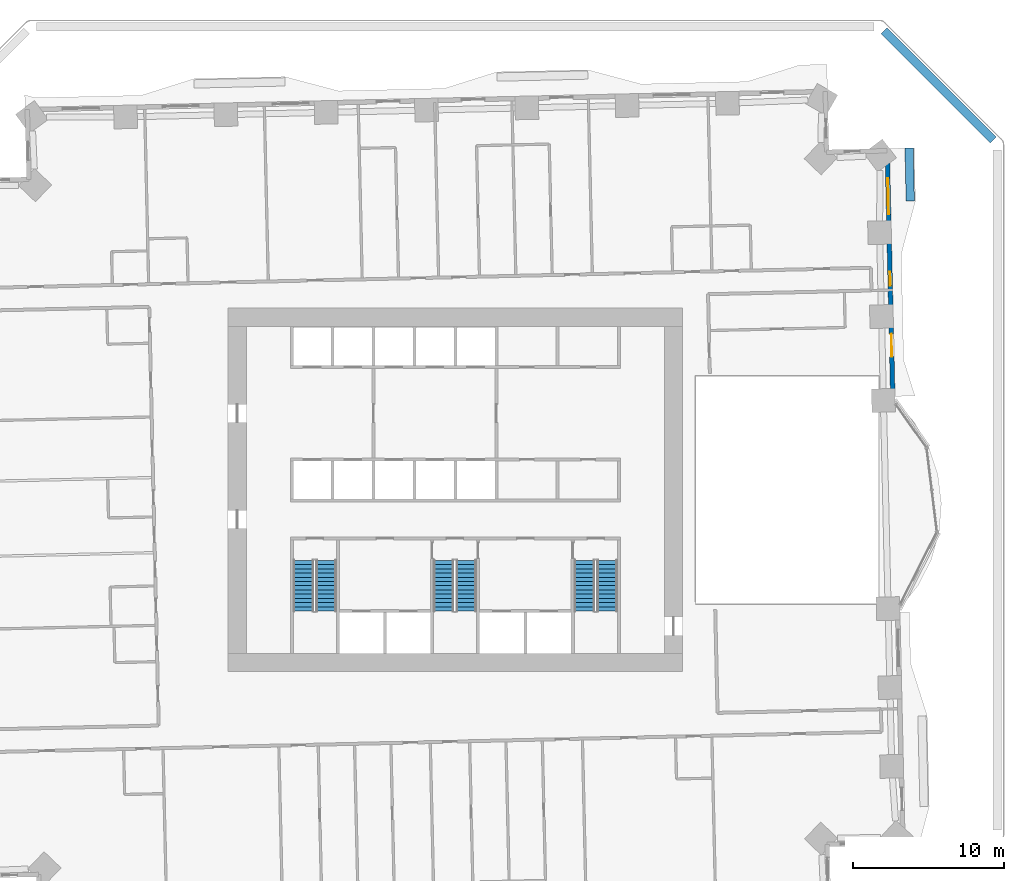
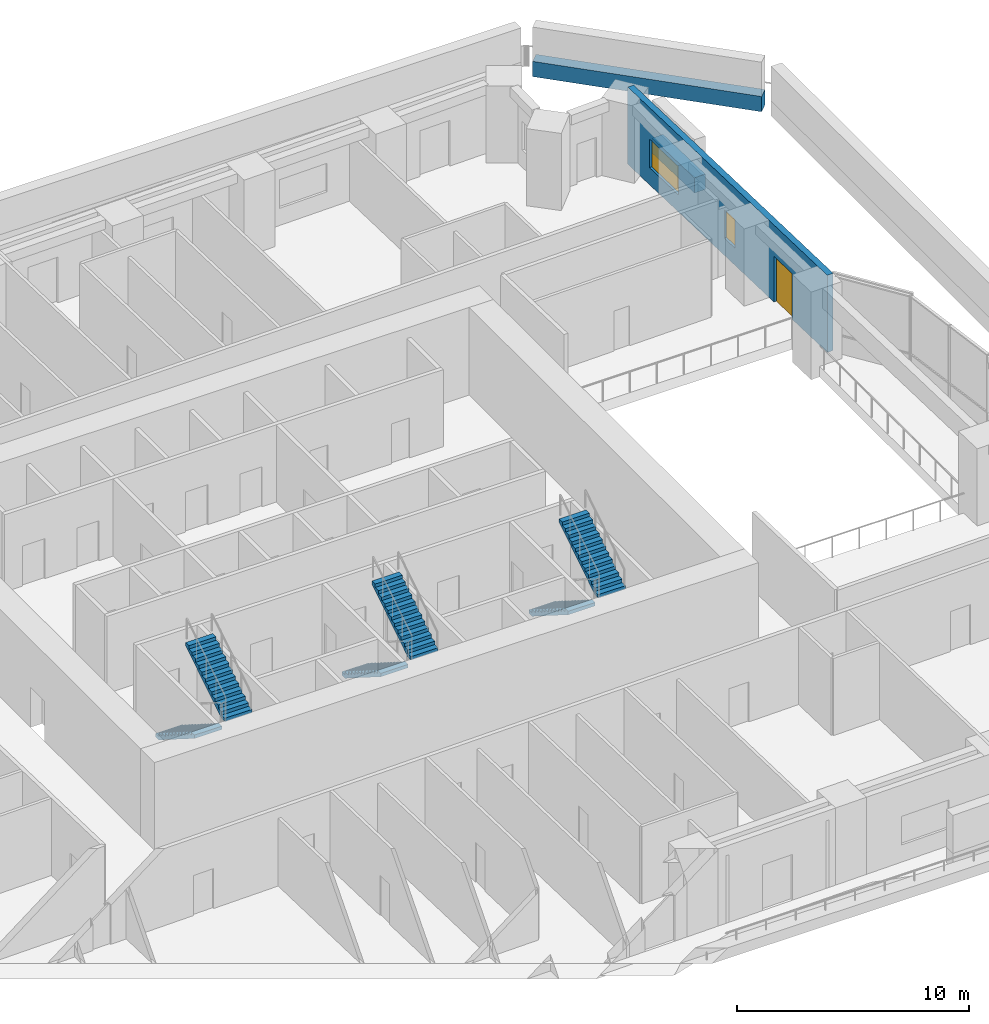
# One storey, part 17 of 21: 6 stair flights, 3 walls, 2 windows, 1 door, 3 openings, 3 elements without a shape of their own.
"""IFC4 building model written with IfcOpenShell, lengths in metres."""

from ifc_helpers import new_model, si_unit, direction, frame, frame_2d, origin, place, context, subcontext, project, spatial, polyline, rectangle, outline, extrude, material, layer, layer_set, type_object, element, fill, aggregate, save


model = new_model("IFC4")

# Units and contexts
model_context = context("Model", 3, precision=1e-05, world=origin(), true_north=direction((0.0, 1.0)))
body_context = subcontext(model_context, "Body", "Model", "MODEL_VIEW")
ifc_project = project(units=[si_unit("LENGTHUNIT", "METRE"), si_unit("AREAUNIT", "SQUARE_METRE"), si_unit("VOLUMEUNIT", "CUBIC_METRE"), si_unit("PLANEANGLEUNIT", "RADIAN"), si_unit("MASSUNIT", "GRAM", prefix="KILO")], contexts=[model_context])

# Site, building, storey
site_placement = place(None, origin())
site = spatial("IfcSite", under=ifc_project, at=site_placement, CompositionType="ELEMENT")
building_placement = place(site_placement, origin())
building = spatial("IfcBuilding", under=site, at=building_placement, Name="Mangrove Gate Tower", CompositionType="ELEMENT")
storey_placement = place(building_placement, frame((0.0, 0.0, 29.5)))
storey = spatial("IfcBuildingStorey", under=building, at=storey_placement, Name="L06", CompositionType="ELEMENT", Elevation=29.5)

# Wall, openings, door, windows
ifc_material_1 = material(Name="Limestone", Category="masonry")
ifc_layer_1 = layer(ifc_material_1, 0.0400390625, Name="Limestone cladding")
ifc_material_2 = material(Name="Ventilated air gap")
ifc_layer_2 = layer(ifc_material_2, 0.0400390625, Name="Ventilated cavity")
ifc_material_3 = material(Name="Mineral wool insulation")
ifc_layer_3 = layer(ifc_material_3, 0.06005859375, Name="Insulation")
ifc_material_4 = material(Name="Breather membrane")
ifc_layer_4 = layer(ifc_material_4, 0.001953125, Name="Breather membrane")
ifc_material_5 = material(Name="Concrete C20/25 blockwork", Category="masonry")
ifc_layer_5 = layer(ifc_material_5, 0.14990234375, Name="Blockwork backing wall")
ifc_material_6 = material(Name="Gypsum plaster")
ifc_layer_6 = layer(ifc_material_6, 0.008056640625, Name="Internal plaster")
ifc_layer_set_1 = layer_set([ifc_layer_1, ifc_layer_2, ifc_layer_3, ifc_layer_4, ifc_layer_5, ifc_layer_6], Name="External wall 300 limestone cladding")
wall_type_1 = type_object("IfcWallType", Name="External wall 300 limestone cladding", PredefinedType="SOLIDWALL", material=ifc_layer_set_1)
wall_1_placement = place(storey_placement, frame((28.886962890625, 5.864013671875, 0.0), z_axis=(0.0, 0.0, 1.0), x_axis=(-0.022687182773, 0.999742612745, 0.0)))
wall_1 = element("IfcWall", 1, at=wall_1_placement, inside=storey, type_object=wall_type_1, Name="WALL-L06-E2", PredefinedType="SOLIDWALL", context=body_context, shape_type="SweptSolid", body=[
    extrude(rectangle(XDim=16.529052734375, YDim=0.300048828125, at=frame_2d((8.2646484375, 0.0))), origin(), (0.0, 0.0, 1.0), 4.050048828125),
])
opening_1_placement = place(wall_1_placement, frame((2.928955078125, 0.0, 0.0)))
opening_1 = element("IfcOpeningElement", 2, at=opening_1_placement, cuts=wall_1, Name="Opening BD1", PredefinedType="OPENING", context=body_context, shape_type="SweptSolid", body=[
    extrude(rectangle(XDim=1.5, YDim=2.39990234375, at=frame_2d((0.75, 1.199951171875))), frame((0.0, 0.159912109375, 0.0), z_axis=(0.0, -1.0, 0.0), x_axis=(1.0, 0.0, 0.0)), (0.0, 0.0, 1.0), 0.320068359375),
])
opening_2_placement = place(wall_1_placement, frame((7.62890625, 0.0, 0.89990234375)))
opening_2 = element("IfcOpeningElement", 3, at=opening_2_placement, cuts=wall_1, Name="Opening W5", PredefinedType="OPENING", context=body_context, shape_type="SweptSolid", body=[
    extrude(rectangle(XDim=0.89990234375, YDim=1.5, at=frame_2d((0.449951171875, 0.75))), frame((0.0, 0.159912109375, 0.0), z_axis=(0.0, -1.0, 0.0), x_axis=(1.0, 0.0, 0.0)), (0.0, 0.0, 1.0), 0.320068359375),
])
opening_3_placement = place(wall_1_placement, frame((12.3291015625, 0.0, 0.89990234375)))
opening_3 = element("IfcOpeningElement", 4, at=opening_3_placement, cuts=wall_1, Name="Opening W2", PredefinedType="OPENING", context=body_context, shape_type="SweptSolid", body=[
    extrude(rectangle(XDim=2.39990234375, YDim=1.5, at=frame_2d((1.199951171875, 0.75))), frame((0.0, 0.159912109375, 0.0), z_axis=(0.0, -1.0, 0.0), x_axis=(1.0, 0.0, 0.0)), (0.0, 0.0, 1.0), 0.320068359375),
])
ifc_material_7 = material(Name="Aluminium frame with laminated clear glass", Category="aluminium")
door_type = type_object("IfcDoorType", Name="Balcony sliding door 1500x2400", OperationType="SLIDING_TO_LEFT", PredefinedType="DOOR", material=ifc_material_7)
door_placement = place(opening_1_placement, origin())
door = element("IfcDoor", 5, at=door_placement, inside=storey, type_object=door_type, Name="DOOR-L06-E2-1", OperationType="SLIDING_TO_LEFT", OverallHeight=2.39990234375, OverallWidth=1.5, PredefinedType="DOOR", context=body_context, shape_type="SweptSolid", body=[
    extrude(rectangle(XDim=1.5, YDim=2.39990234375, at=frame_2d((0.75, 1.199951171875))), frame((0.0, 0.02490234375, 0.0), z_axis=(0.0, -1.0, 0.0), x_axis=(1.0, 0.0, 0.0)), (0.0, 0.0, 1.0), 0.050048828125),
])
fill(opening_1, door)
ifc_material_8 = material(Name="Aluminium frame with double-glazed low-e glass", Category="aluminium")
window_type_1 = type_object("IfcWindowType", Name="Corner room window 2400x1500", PartitioningType="DOUBLE_PANEL_VERTICAL", PredefinedType="WINDOW", material=ifc_material_8)
window_1_placement = place(opening_3_placement, origin())
window_1 = element("IfcWindow", 6, at=window_1_placement, inside=storey, type_object=window_type_1, Name="WIN-L06-E2-3", OverallHeight=1.5, OverallWidth=2.39990234375, PartitioningType="DOUBLE_PANEL_VERTICAL", PredefinedType="WINDOW", context=body_context, shape_type="SweptSolid", body=[
    extrude(rectangle(XDim=2.39990234375, YDim=1.5, at=frame_2d((1.199951171875, 0.75))), frame((0.0, 0.030029296875, 0.0), z_axis=(0.0, -1.0, 0.0), x_axis=(1.0, 0.0, 0.0)), (0.0, 0.0, 1.0), 0.06005859375),
])
fill(opening_3, window_1)
ifc_material_9 = material(Name="Aluminium frame with double-glazed low-e glass", Category="aluminium")
window_type_2 = type_object("IfcWindowType", Name="Narrow window 900x1500", PartitioningType="SINGLE_PANEL", PredefinedType="WINDOW", material=ifc_material_9)
window_2_placement = place(opening_2_placement, origin())
window_2 = element("IfcWindow", 7, at=window_2_placement, inside=storey, type_object=window_type_2, Name="WIN-L06-E2-2", OverallHeight=1.5, OverallWidth=0.89990234375, PartitioningType="SINGLE_PANEL", PredefinedType="WINDOW", context=body_context, shape_type="SweptSolid", body=[
    extrude(rectangle(XDim=0.89990234375, YDim=1.5, at=frame_2d((0.449951171875, 0.75))), frame((0.0, 0.030029296875, 0.0), z_axis=(0.0, -1.0, 0.0), x_axis=(1.0, 0.0, 0.0)), (0.0, 0.0, 1.0), 0.06005859375),
])
fill(opening_2, window_2)

# Walls
ifc_material_10 = material(Name="Concrete C32/40", Category="concrete")
ifc_layer_7 = layer(ifc_material_10, 0.199951171875, Name="Planter trough wall")
ifc_material_11 = material(Name="Bituminous waterproofing membrane")
ifc_layer_8 = layer(ifc_material_11, 0.0048828125, Name="Waterproofing")
ifc_material_12 = material(Name="Drainage board and gravel")
ifc_layer_9 = layer(ifc_material_12, 0.044921875, Name="Drainage layer")
ifc_material_13 = material(Name="Planting soil")
ifc_layer_10 = layer(ifc_material_13, 0.300048828125, Name="Growing medium")
ifc_layer_set_2 = layer_set([ifc_layer_7, ifc_layer_8, ifc_layer_9, ifc_layer_10], Name="Planter wall 550 C32/40")
wall_type_2 = type_object("IfcWallType", Name="Planter wall 550 C32/40", PredefinedType="USERDEFINED", material=ifc_layer_set_2)
wall_2_placement = place(storey_placement, frame((30.037109375, 19.072998046875, 0.0), z_axis=(0.0, 0.0, 1.0), x_axis=(-0.022600979566, 0.999744565238, 0.0)))
element("IfcWall", 8, at=wall_2_placement, inside=storey, type_object=wall_type_2, Name="PLANTER L06 E1.1", ObjectType="PLANTER", PredefinedType="USERDEFINED", context=body_context, shape_type="SweptSolid", body=[
    extrude(rectangle(XDim=3.5, YDim=0.550048828125, at=frame_2d((1.75, 0.0))), origin(), (0.0, 0.0, 1.0), 0.800048828125),
])
wall_3_placement = place(storey_placement, frame((28.300048828125, 30.31298828125, 0.0), z_axis=(0.0, 0.0, 1.0), x_axis=(0.707106781187, -0.707106781187, 0.0)))
element("IfcWall", 9, at=wall_3_placement, inside=storey, type_object=wall_type_2, Name="PLANTER L06 T2.1.33", ObjectType="PLANTER", PredefinedType="USERDEFINED", context=body_context, shape_type="SweptSolid", body=[
    extrude(rectangle(XDim=10.20068359375, YDim=0.550048828125, at=frame_2d((5.100341796875, 0.0))), origin(), (0.0, 0.0, 1.0), 0.800048828125),
])

# Stair, stair flights
ifc_material_14 = material(Name="Concrete C40/50", Category="concrete")
stair_type = type_object("IfcStairType", Name="Core stair 1350", PredefinedType="HALF_TURN_STAIR", material=ifc_material_14)
stair_1_placement = place(storey_placement, origin())
stair_1 = element("IfcStair", 10, at=stair_1_placement, inside=storey, type_object=stair_type, Name="L06 Stair 1", PredefinedType="HALF_TURN_STAIR")
ifc_material_15 = material(Name="Concrete C40/50", Category="concrete")
stair_flight_type = type_object("IfcStairFlightType", Name="Core stair flight 1350", PredefinedType="STRAIGHT", material=ifc_material_15)
stair_flight_1_placement = place(storey_placement, frame((-10.02490234375, -4.64990234375, 0.0), z_axis=(0.0, 0.0, 1.0), x_axis=(0.0, -1.0, 0.0)))
stair_flight_1 = element("IfcStairFlight", 11, at=stair_flight_1_placement, type_object=stair_flight_type, Name="ST1 flight 1", NumberOfRisers=13, NumberOfTreads=12, PredefinedType="STRAIGHT", RiserHeight=0.176923077, TreadLength=0.28, context=body_context, shape_type="SweptSolid", body=[
    extrude(outline(polyline([(0.0, 0.0), (0.0, 0.177001953125), (0.280029296875, 0.177001953125), (0.280029296875, 0.353759765625), (0.56005859375, 0.353759765625), (0.56005859375, 0.53076171875), (0.840087890625, 0.53076171875), (0.840087890625, 0.707763671875), (1.1201171875, 0.707763671875), (1.1201171875, 0.884521484375), (1.39990234375, 0.884521484375), (1.39990234375, 1.0615234375), (1.679931640625, 1.0615234375), (1.679931640625, 1.238525390625), (1.9599609375, 1.238525390625), (1.9599609375, 1.415283203125), (2.239990234375, 1.415283203125), (2.239990234375, 1.59228515625), (2.52001953125, 1.59228515625), (2.52001953125, 1.769287109375), (2.800048828125, 1.769287109375), (2.800048828125, 1.946044921875), (3.080078125, 1.946044921875), (3.080078125, 2.123046875), (3.360107421875, 2.123046875), (3.360107421875, 2.300048828125), (3.360107421875, 1.94580078125), (0.280517578125, 0.0), (0.0, 0.0)])), frame((0.0, 0.675048828125, 0.0), z_axis=(0.0, -1.0, 0.0), x_axis=(1.0, 0.0, 0.0)), (0.0, 0.0, 1.0), 1.35009765625),
])
stair_flight_2_placement = place(storey_placement, frame((-8.52490234375, -8.010009765625, 2.300048828125), z_axis=(0.0, 0.0, 1.0), x_axis=(0.0, 1.0, 0.0)))
stair_flight_2 = element("IfcStairFlight", 12, at=stair_flight_2_placement, type_object=stair_flight_type, Name="ST1 flight 2", NumberOfRisers=13, NumberOfTreads=12, PredefinedType="STRAIGHT", RiserHeight=0.176923077, TreadLength=0.28, context=body_context, shape_type="SweptSolid", body=[
    extrude(outline(polyline([(0.0, 0.0), (0.0, 0.177001953125), (0.280029296875, 0.177001953125), (0.280029296875, 0.353759765625), (0.56005859375, 0.353759765625), (0.56005859375, 0.53076171875), (0.840087890625, 0.53076171875), (0.840087890625, 0.707763671875), (1.1201171875, 0.707763671875), (1.1201171875, 0.884521484375), (1.39990234375, 0.884521484375), (1.39990234375, 1.0615234375), (1.679931640625, 1.0615234375), (1.679931640625, 1.238525390625), (1.9599609375, 1.238525390625), (1.9599609375, 1.415283203125), (2.239990234375, 1.415283203125), (2.239990234375, 1.59228515625), (2.52001953125, 1.59228515625), (2.52001953125, 1.769287109375), (2.800048828125, 1.769287109375), (2.800048828125, 1.946044921875), (3.080078125, 1.946044921875), (3.080078125, 2.123046875), (3.360107421875, 2.123046875), (3.360107421875, 2.300048828125), (3.360107421875, 1.94580078125), (0.280517578125, 0.0), (0.0, 0.0)])), frame((0.0, 0.675048828125, 0.0), z_axis=(0.0, -1.0, 0.0), x_axis=(1.0, 0.0, 0.0)), (0.0, 0.0, 1.0), 1.35009765625),
])
aggregate(stair_1, [stair_flight_1, stair_flight_2])

stair_2_placement = place(storey_placement, origin())
stair_2 = element("IfcStair", 13, at=stair_2_placement, inside=storey, type_object=stair_type, Name="L06 Stair 2", PredefinedType="HALF_TURN_STAIR")
stair_flight_3_placement = place(storey_placement, frame((-0.77490234375, -4.64990234375, 0.0), z_axis=(0.0, 0.0, 1.0), x_axis=(0.0, -1.0, 0.0)))
stair_flight_3 = element("IfcStairFlight", 14, at=stair_flight_3_placement, type_object=stair_flight_type, Name="ST2 flight 1", NumberOfRisers=13, NumberOfTreads=12, PredefinedType="STRAIGHT", RiserHeight=0.176923077, TreadLength=0.28, context=body_context, shape_type="SweptSolid", body=[
    extrude(outline(polyline([(0.0, 0.0), (0.0, 0.177001953125), (0.280029296875, 0.177001953125), (0.280029296875, 0.353759765625), (0.56005859375, 0.353759765625), (0.56005859375, 0.53076171875), (0.840087890625, 0.53076171875), (0.840087890625, 0.707763671875), (1.1201171875, 0.707763671875), (1.1201171875, 0.884521484375), (1.39990234375, 0.884521484375), (1.39990234375, 1.0615234375), (1.679931640625, 1.0615234375), (1.679931640625, 1.238525390625), (1.9599609375, 1.238525390625), (1.9599609375, 1.415283203125), (2.239990234375, 1.415283203125), (2.239990234375, 1.59228515625), (2.52001953125, 1.59228515625), (2.52001953125, 1.769287109375), (2.800048828125, 1.769287109375), (2.800048828125, 1.946044921875), (3.080078125, 1.946044921875), (3.080078125, 2.123046875), (3.360107421875, 2.123046875), (3.360107421875, 2.300048828125), (3.360107421875, 1.94580078125), (0.280517578125, 0.0), (0.0, 0.0)])), frame((0.0, 0.675048828125, 0.0), z_axis=(0.0, -1.0, 0.0), x_axis=(1.0, 0.0, 0.0)), (0.0, 0.0, 1.0), 1.35009765625),
])
stair_flight_4_placement = place(storey_placement, frame((0.72509765625, -8.010009765625, 2.300048828125), z_axis=(0.0, 0.0, 1.0), x_axis=(0.0, 1.0, 0.0)))
stair_flight_4 = element("IfcStairFlight", 15, at=stair_flight_4_placement, type_object=stair_flight_type, Name="ST2 flight 2", NumberOfRisers=13, NumberOfTreads=12, PredefinedType="STRAIGHT", RiserHeight=0.176923077, TreadLength=0.28, context=body_context, shape_type="SweptSolid", body=[
    extrude(outline(polyline([(0.0, 0.0), (0.0, 0.177001953125), (0.280029296875, 0.177001953125), (0.280029296875, 0.353759765625), (0.56005859375, 0.353759765625), (0.56005859375, 0.53076171875), (0.840087890625, 0.53076171875), (0.840087890625, 0.707763671875), (1.1201171875, 0.707763671875), (1.1201171875, 0.884521484375), (1.39990234375, 0.884521484375), (1.39990234375, 1.0615234375), (1.679931640625, 1.0615234375), (1.679931640625, 1.238525390625), (1.9599609375, 1.238525390625), (1.9599609375, 1.415283203125), (2.239990234375, 1.415283203125), (2.239990234375, 1.59228515625), (2.52001953125, 1.59228515625), (2.52001953125, 1.769287109375), (2.800048828125, 1.769287109375), (2.800048828125, 1.946044921875), (3.080078125, 1.946044921875), (3.080078125, 2.123046875), (3.360107421875, 2.123046875), (3.360107421875, 2.300048828125), (3.360107421875, 1.94580078125), (0.280517578125, 0.0), (0.0, 0.0)])), frame((0.0, 0.675048828125, 0.0), z_axis=(0.0, -1.0, 0.0), x_axis=(1.0, 0.0, 0.0)), (0.0, 0.0, 1.0), 1.35009765625),
])
aggregate(stair_2, [stair_flight_3, stair_flight_4])

stair_3_placement = place(storey_placement, origin())
stair_3 = element("IfcStair", 16, at=stair_3_placement, inside=storey, type_object=stair_type, Name="L06 Stair 3", PredefinedType="HALF_TURN_STAIR")
stair_flight_5_placement = place(storey_placement, frame((8.52490234375, -4.64990234375, 0.0), z_axis=(0.0, 0.0, 1.0), x_axis=(0.0, -1.0, 0.0)))
stair_flight_5 = element("IfcStairFlight", 17, at=stair_flight_5_placement, type_object=stair_flight_type, Name="ST3 flight 1", NumberOfRisers=13, NumberOfTreads=12, PredefinedType="STRAIGHT", RiserHeight=0.176923077, TreadLength=0.28, context=body_context, shape_type="SweptSolid", body=[
    extrude(outline(polyline([(0.0, 0.0), (0.0, 0.177001953125), (0.280029296875, 0.177001953125), (0.280029296875, 0.353759765625), (0.56005859375, 0.353759765625), (0.56005859375, 0.53076171875), (0.840087890625, 0.53076171875), (0.840087890625, 0.707763671875), (1.1201171875, 0.707763671875), (1.1201171875, 0.884521484375), (1.39990234375, 0.884521484375), (1.39990234375, 1.0615234375), (1.679931640625, 1.0615234375), (1.679931640625, 1.238525390625), (1.9599609375, 1.238525390625), (1.9599609375, 1.415283203125), (2.239990234375, 1.415283203125), (2.239990234375, 1.59228515625), (2.52001953125, 1.59228515625), (2.52001953125, 1.769287109375), (2.800048828125, 1.769287109375), (2.800048828125, 1.946044921875), (3.080078125, 1.946044921875), (3.080078125, 2.123046875), (3.360107421875, 2.123046875), (3.360107421875, 2.300048828125), (3.360107421875, 1.94580078125), (0.280517578125, 0.0), (0.0, 0.0)])), frame((0.0, 0.675048828125, 0.0), z_axis=(0.0, -1.0, 0.0), x_axis=(1.0, 0.0, 0.0)), (0.0, 0.0, 1.0), 1.35009765625),
])
stair_flight_6_placement = place(storey_placement, frame((10.02490234375, -8.010009765625, 2.300048828125), z_axis=(0.0, 0.0, 1.0), x_axis=(0.0, 1.0, 0.0)))
stair_flight_6 = element("IfcStairFlight", 18, at=stair_flight_6_placement, type_object=stair_flight_type, Name="ST3 flight 2", NumberOfRisers=13, NumberOfTreads=12, PredefinedType="STRAIGHT", RiserHeight=0.176923077, TreadLength=0.28, context=body_context, shape_type="SweptSolid", body=[
    extrude(outline(polyline([(0.0, 0.0), (0.0, 0.177001953125), (0.280029296875, 0.177001953125), (0.280029296875, 0.353759765625), (0.56005859375, 0.353759765625), (0.56005859375, 0.53076171875), (0.840087890625, 0.53076171875), (0.840087890625, 0.707763671875), (1.1201171875, 0.707763671875), (1.1201171875, 0.884521484375), (1.39990234375, 0.884521484375), (1.39990234375, 1.0615234375), (1.679931640625, 1.0615234375), (1.679931640625, 1.238525390625), (1.9599609375, 1.238525390625), (1.9599609375, 1.415283203125), (2.239990234375, 1.415283203125), (2.239990234375, 1.59228515625), (2.52001953125, 1.59228515625), (2.52001953125, 1.769287109375), (2.800048828125, 1.769287109375), (2.800048828125, 1.946044921875), (3.080078125, 1.946044921875), (3.080078125, 2.123046875), (3.360107421875, 2.123046875), (3.360107421875, 2.300048828125), (3.360107421875, 1.94580078125), (0.280517578125, 0.0), (0.0, 0.0)])), frame((0.0, 0.675048828125, 0.0), z_axis=(0.0, -1.0, 0.0), x_axis=(1.0, 0.0, 0.0)), (0.0, 0.0, 1.0), 1.35009765625),
])
aggregate(stair_3, [stair_flight_5, stair_flight_6])

save(model, "model.ifc")
